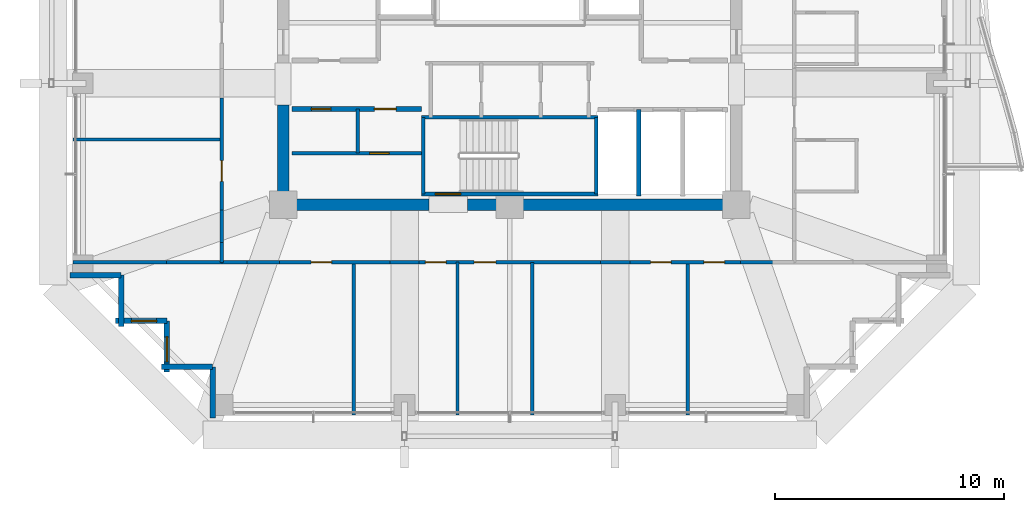
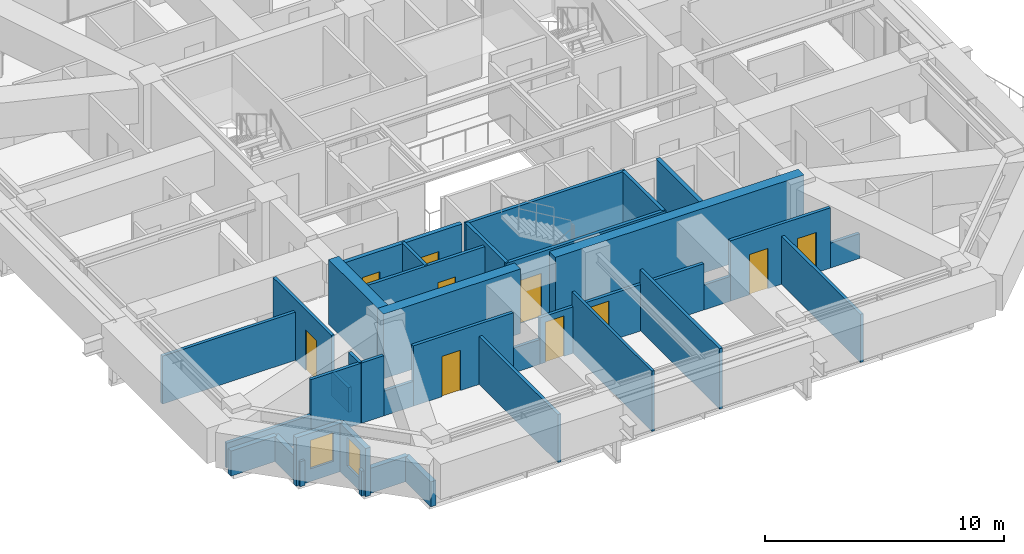
# One storey, part 34 of 40: 35 walls, 10 doors, 2 windows, 12 openings.
"""IFC4 building model written with IfcOpenShell, lengths in metres."""

from ifc_helpers import new_model, si_unit, direction, frame, frame_2d, origin, place, context, subcontext, project, spatial, rectangle, extrude, material, layer, layer_set, type_object, element, fill, save


model = new_model("IFC4")

# Units and contexts
model_context = context("Model", 3, precision=1e-05, world=origin(), true_north=direction((0.0, 1.0)))
body_context = subcontext(model_context, "Body", "Model", "MODEL_VIEW")
ifc_project = project(units=[si_unit("LENGTHUNIT", "METRE"), si_unit("AREAUNIT", "SQUARE_METRE"), si_unit("VOLUMEUNIT", "CUBIC_METRE"), si_unit("PLANEANGLEUNIT", "RADIAN"), si_unit("MASSUNIT", "GRAM", prefix="KILO")], contexts=[model_context])

# Site, building, storey
site_placement = place(None, origin())
site = spatial("IfcSite", under=ifc_project, at=site_placement, CompositionType="ELEMENT")
building_placement = place(site_placement, origin())
building = spatial("IfcBuilding", under=site, at=building_placement, Name="Kolvaren Belvedere", CompositionType="ELEMENT")
storey_placement = place(building_placement, frame((0.0, 0.0, 170.10009765625)))
storey = spatial("IfcBuildingStorey", under=building, at=storey_placement, Name="L49", CompositionType="ELEMENT", Elevation=170.10009765625)

# Walls
ifc_material_1 = material(Name="Concrete C50/60", Category="concrete")
ifc_layer_1 = layer(ifc_material_1, 0.5)
ifc_layer_set_1 = layer_set([ifc_layer_1], Name="Concrete C50/60")
wall_type_1 = type_object("IfcWallType", Name="CW-CORE-500", PredefinedType="SHEAR", material=ifc_layer_set_1)
wall_1_placement = place(storey_placement, frame((10.14990234375, -9.89990234375, 0.0), z_axis=(0.0, 0.0, 1.0), x_axis=(-1.0, 0.0, 0.0)))
element("IfcWall", 1, at=wall_1_placement, inside=storey, type_object=wall_type_1, Name="L49 South Core Shear Wall 1", PredefinedType="SHEAR", context=body_context, shape_type="SweptSolid", body=[
    extrude(rectangle(XDim=12.010009765625, YDim=0.5, at=frame_2d((6.0048828125, 0.0))), origin(), (0.0, 0.0, 1.0), 3.2998046875),
])
wall_2_placement = place(storey_placement, frame((-3.5400390625, -9.89990234375, 0.0), z_axis=(0.0, 0.0, 1.0), x_axis=(-1.0, 0.0, 0.0)))
element("IfcWall", 2, at=wall_2_placement, inside=storey, type_object=wall_type_1, Name="L49 South Core Shear Wall 2", PredefinedType="SHEAR", context=body_context, shape_type="SweptSolid", body=[
    extrude(rectangle(XDim=6.60986328125, YDim=0.5, at=frame_2d((3.304931640625, 0.0))), origin(), (0.0, 0.0, 1.0), 3.2998046875),
])
wall_3_placement = place(storey_placement, frame((-9.89990234375, -9.64990234375, 0.0), z_axis=(0.0, 0.0, 1.0), x_axis=(0.0, 1.0, 0.0)))
element("IfcWall", 3, at=wall_3_placement, inside=storey, type_object=wall_type_1, Name="L49 West Core Shear Wall 1", PredefinedType="SHEAR", context=body_context, shape_type="SweptSolid", body=[
    extrude(rectangle(XDim=4.099853515625, YDim=0.5, at=frame_2d((2.0498046875, 0.0))), origin(), (0.0, 0.0, 1.0), 3.2998046875),
])

# Wall, opening, door
ifc_material_2 = material(Name="Concrete C50/60", Category="concrete")
ifc_layer_2 = layer(ifc_material_2, 0.159912109375)
ifc_layer_set_2 = layer_set([ifc_layer_2], Name="Concrete C50/60")
wall_type_2 = type_object("IfcWallType", Name="CW-STAIR-160", PredefinedType="SHEAR", material=ifc_layer_set_2)
wall_4_placement = place(storey_placement, frame((3.860107421875, -9.429931640625, 0.0), z_axis=(0.0, 0.0, 1.0), x_axis=(-1.0, 0.0, 0.0)))
wall_4 = element("IfcWall", 4, at=wall_4_placement, inside=storey, type_object=wall_type_2, Name="L49 Stair ST-3 South Shear Wall", PredefinedType="SHEAR", context=body_context, shape_type="SweptSolid", body=[
    extrude(rectangle(XDim=7.72021484375, YDim=0.159912109375, at=frame_2d((3.860107421875, 0.0))), origin(), (0.0, 0.0, 1.0), 3.2998046875),
])
opening_1_placement = place(wall_4_placement, frame((6.010009765625, 0.0, 0.0)))
opening_1 = element("IfcOpeningElement", 5, at=opening_1_placement, cuts=wall_4, Name="Opening D-FD90", PredefinedType="OPENING", context=body_context, shape_type="SweptSolid", body=[
    extrude(rectangle(XDim=1.10009765625, YDim=2.199951171875, at=frame_2d((0.550048828125, 1.10009765625))), frame((0.0, 0.08984375, 0.0), z_axis=(0.0, -1.0, 0.0), x_axis=(1.0, 0.0, 0.0)), (0.0, 0.0, 1.0), 0.179931640625),
])
ifc_material_3 = material(Name="Painted hollow stainless steel", Category="steel")
door_type_1 = type_object("IfcDoorType", Name="DR-FD90-1100", OperationType="NOTDEFINED", PredefinedType="DOOR", material=ifc_material_3)
door_1_placement = place(opening_1_placement, origin())
door_1 = element("IfcDoor", 6, at=door_1_placement, inside=storey, type_object=door_type_1, Name="L49 Stair ST-3 Exit Door", OperationType="SINGLE_SWING_RIGHT", OverallHeight=2.199951171875, OverallWidth=1.10009765625, PredefinedType="DOOR", context=body_context, shape_type="SweptSolid", body=[
    extrude(rectangle(XDim=1.10009765625, YDim=2.199951171875, at=frame_2d((0.550048828125, 1.10009765625))), frame((0.0, 0.02490234375, 0.0), z_axis=(0.0, -1.0, 0.0), x_axis=(1.0, 0.0, 0.0)), (0.0, 0.0, 1.0), 0.050048828125),
])
fill(opening_1, door_1)

# Walls
wall_5_placement = place(storey_placement, frame((-3.860107421875, -6.080078125, 0.0), z_axis=(0.0, 0.0, 1.0), x_axis=(1.0, 0.0, 0.0)))
element("IfcWall", 7, at=wall_5_placement, inside=storey, type_object=wall_type_2, Name="L49 Stair ST-3 North Shear Wall", PredefinedType="SHEAR", context=body_context, shape_type="SweptSolid", body=[
    extrude(rectangle(XDim=7.72021484375, YDim=0.159912109375, at=frame_2d((3.860107421875, 0.0))), origin(), (0.0, 0.0, 1.0), 3.2998046875),
])
for number, where, z_axis, x_axis, name in (
    (8, (-3.780029296875, -9.429931640625, 0.0), (0.0, 0.0, 1.0), (0.0, 1.0, 0.0), "L49 Stair ST-3 West Shear Wall"),
    (9, (3.780029296875, -9.429931640625, 0.0), (0.0, 0.0, 1.0), (0.0, 1.0, 0.0), "L49 Stair ST-3 East Shear Wall"),
):
    element("IfcWall", number, at=place(storey_placement, frame(where, z_axis=z_axis, x_axis=x_axis)), inside=storey, type_object=wall_type_2, Name=name, PredefinedType="SHEAR", context=body_context, shape_type="SweptSolid", body=[
        extrude(rectangle(XDim=3.349853515625, YDim=0.159912109375, at=frame_2d((1.6748046875, 0.0))), origin(), (0.0, 0.0, 1.0), 3.2998046875),
    ])
ifc_material_4 = material(Name="Gypsum fire-rated partition assembly", Category="gypsum")
ifc_layer_3 = layer(ifc_material_4, 0.14990234375)
ifc_layer_set_3 = layer_set([ifc_layer_3], Name="Gypsum fire-rated partition assembly")
wall_type_3 = type_object("IfcWallType", Name="WL-CORR-150", PredefinedType="PARTITIONING", material=ifc_layer_set_3)
wall_6_placement = place(storey_placement, frame((-12.580078125, -12.419921875, 0.0), z_axis=(0.0, 0.0, 1.0), x_axis=(1.0, 0.0, 0.0)))
element("IfcWall", 10, at=wall_6_placement, inside=storey, type_object=wall_type_3, Name="L49 South Corridor Wall", PredefinedType="PARTITIONING", context=body_context, shape_type="SweptSolid", body=[
    extrude(rectangle(XDim=1.093994140625, YDim=0.14990234375, at=frame_2d((0.546875, 0.0))), origin(), (0.0, 0.0, 1.0), 3.079833984375),
])
wall_7_placement = place(storey_placement, frame((-11.486083984375, -12.419921875, 0.0), z_axis=(0.0, 0.0, 1.0), x_axis=(1.0, 0.0, 0.0)))
element("IfcWall", 11, at=wall_7_placement, inside=storey, type_object=wall_type_3, Name="L49 South Corridor Wall", PredefinedType="PARTITIONING", context=body_context, shape_type="SweptSolid", body=[
    extrude(rectangle(XDim=1.416748046875, YDim=0.14990234375, at=frame_2d((0.70849609375, 0.0))), origin(), (0.0, 0.0, 1.0), 1.264892578125),
])

# Wall, opening, door
wall_8_placement = place(storey_placement, frame((-10.0693359375, -12.419921875, 0.0), z_axis=(0.0, 0.0, 1.0), x_axis=(1.0, 0.0, 0.0)))
wall_8 = element("IfcWall", 12, at=wall_8_placement, inside=storey, type_object=wall_type_3, Name="L49 South Corridor Wall", PredefinedType="PARTITIONING", context=body_context, shape_type="SweptSolid", body=[
    extrude(rectangle(XDim=4.827392578125, YDim=0.14990234375, at=frame_2d((2.41357421875, 0.0))), origin(), (0.0, 0.0, 1.0), 3.079833984375),
])
opening_2_placement = place(wall_8_placement, frame((1.38916015625, 0.0, 0.0)))
opening_2 = element("IfcOpeningElement", 13, at=opening_2_placement, cuts=wall_8, Name="Opening D-INT90", PredefinedType="OPENING", context=body_context, shape_type="SweptSolid", body=[
    extrude(rectangle(XDim=0.89990234375, YDim=2.06005859375, at=frame_2d((0.449951171875, 1.030029296875))), frame((0.0, 0.0849609375, 0.0), z_axis=(0.0, -1.0, 0.0), x_axis=(1.0, 0.0, 0.0)), (0.0, 0.0, 1.0), 0.169921875),
])
ifc_material_5 = material(Name="Stained Pacific white oak", Category="timber")
door_type_2 = type_object("IfcDoorType", Name="DR-INT-900", OperationType="NOTDEFINED", PredefinedType="DOOR", material=ifc_material_5)
door_2_placement = place(opening_2_placement, origin())
door_2 = element("IfcDoor", 14, at=door_2_placement, inside=storey, type_object=door_type_2, Name="L49 Wellness Yoga & Reading Gym 4901 Door", OperationType="SINGLE_SWING_LEFT", OverallHeight=2.06005859375, OverallWidth=0.89990234375, PredefinedType="DOOR", context=body_context, shape_type="SweptSolid", body=[
    extrude(rectangle(XDim=0.89990234375, YDim=2.06005859375, at=frame_2d((0.449951171875, 1.030029296875))), frame((0.0, 0.02490234375, 0.0), z_axis=(0.0, -1.0, 0.0), x_axis=(1.0, 0.0, 0.0)), (0.0, 0.0, 1.0), 0.050048828125),
])
fill(opening_2, door_2)

# Wall
wall_9_placement = place(storey_placement, frame((-5.241943359375, -12.419921875, 0.0), z_axis=(0.0, 0.0, 1.0), x_axis=(1.0, 0.0, 0.0)))
element("IfcWall", 15, at=wall_9_placement, inside=storey, type_object=wall_type_3, Name="L49 South Corridor Wall", PredefinedType="PARTITIONING", context=body_context, shape_type="SweptSolid", body=[
    extrude(rectangle(XDim=1.283935546875, YDim=0.14990234375, at=frame_2d((0.64208984375, 0.0))), origin(), (0.0, 0.0, 1.0), 1.264892578125),
])

# Wall, openings, doors
wall_10_placement = place(storey_placement, frame((-3.9580078125, -12.419921875, 0.0), z_axis=(0.0, 0.0, 1.0), x_axis=(1.0, 0.0, 0.0)))
wall_10 = element("IfcWall", 16, at=wall_10_placement, inside=storey, type_object=wall_type_3, Name="L49 South Corridor Wall", PredefinedType="PARTITIONING", context=body_context, shape_type="SweptSolid", body=[
    extrude(rectangle(XDim=7.916015625, YDim=0.14990234375, at=frame_2d((3.9580078125, 0.0))), origin(), (0.0, 0.0, 1.0), 2.368896484375),
])
opening_3_placement = place(wall_10_placement, frame((0.27099609375, 0.0, 0.0)))
opening_3 = element("IfcOpeningElement", 17, at=opening_3_placement, cuts=wall_10, Name="Opening D-INT90", PredefinedType="OPENING", context=body_context, shape_type="SweptSolid", body=[
    extrude(rectangle(XDim=0.89990234375, YDim=2.06005859375, at=frame_2d((0.449951171875, 1.030029296875))), frame((0.0, 0.0849609375, 0.0), z_axis=(0.0, -1.0, 0.0), x_axis=(1.0, 0.0, 0.0)), (0.0, 0.0, 1.0), 0.169921875),
])
opening_4_placement = place(wall_10_placement, frame((2.39599609375, 0.0, 0.0)))
opening_4 = element("IfcOpeningElement", 18, at=opening_4_placement, cuts=wall_10, Name="Opening D-INT95", PredefinedType="OPENING", context=body_context, shape_type="SweptSolid", body=[
    extrude(rectangle(XDim=0.949951171875, YDim=2.06005859375, at=frame_2d((0.47509765625, 1.030029296875))), frame((0.0, 0.0849609375, 0.0), z_axis=(0.0, -1.0, 0.0), x_axis=(1.0, 0.0, 0.0)), (0.0, 0.0, 1.0), 0.169921875),
])
door_3_placement = place(opening_3_placement, origin())
door_3 = element("IfcDoor", 19, at=door_3_placement, inside=storey, type_object=door_type_2, Name="L49 Housekeeping Door", OperationType="SINGLE_SWING_RIGHT", OverallHeight=2.06005859375, OverallWidth=0.89990234375, PredefinedType="DOOR", context=body_context, shape_type="SweptSolid", body=[
    extrude(rectangle(XDim=0.89990234375, YDim=2.06005859375, at=frame_2d((0.449951171875, 1.030029296875))), frame((0.0, 0.02490234375, 0.0), z_axis=(0.0, -1.0, 0.0), x_axis=(1.0, 0.0, 0.0)), (0.0, 0.0, 1.0), 0.050048828125),
])
fill(opening_3, door_3)
ifc_material_6 = material(Name="Stained Pacific white oak", Category="timber")
door_type_3 = type_object("IfcDoorType", Name="DR-INT-950", OperationType="NOTDEFINED", PredefinedType="DOOR", material=ifc_material_6)
door_4_placement = place(opening_4_placement, origin())
door_4 = element("IfcDoor", 20, at=door_4_placement, inside=storey, type_object=door_type_3, Name="L49 Accessible Washroom Door", OperationType="SINGLE_SWING_LEFT", OverallHeight=2.06005859375, OverallWidth=0.949951171875, PredefinedType="DOOR", context=body_context, shape_type="SweptSolid", body=[
    extrude(rectangle(XDim=0.949951171875, YDim=2.06005859375, at=frame_2d((0.47509765625, 1.030029296875))), frame((0.0, 0.02490234375, 0.0), z_axis=(0.0, -1.0, 0.0), x_axis=(1.0, 0.0, 0.0)), (0.0, 0.0, 1.0), 0.050048828125),
])
fill(opening_4, door_4)

# Wall
wall_11_placement = place(storey_placement, frame((3.9580078125, -12.419921875, 0.0), z_axis=(0.0, 0.0, 1.0), x_axis=(1.0, 0.0, 0.0)))
element("IfcWall", 21, at=wall_11_placement, inside=storey, type_object=wall_type_3, Name="L49 South Corridor Wall", PredefinedType="PARTITIONING", context=body_context, shape_type="SweptSolid", body=[
    extrude(rectangle(XDim=1.283935546875, YDim=0.14990234375, at=frame_2d((0.64208984375, 0.0))), origin(), (0.0, 0.0, 1.0), 1.264892578125),
])

# Wall, openings, doors
wall_12_placement = place(storey_placement, frame((5.241943359375, -12.419921875, 0.0), z_axis=(0.0, 0.0, 1.0), x_axis=(1.0, 0.0, 0.0)))
wall_12 = element("IfcWall", 22, at=wall_12_placement, inside=storey, type_object=wall_type_3, Name="L49 South Corridor Wall", PredefinedType="PARTITIONING", context=body_context, shape_type="SweptSolid", body=[
    extrude(rectangle(XDim=4.827392578125, YDim=0.14990234375, at=frame_2d((2.41357421875, 0.0))), origin(), (0.0, 0.0, 1.0), 3.079833984375),
])
opening_5_placement = place(wall_12_placement, frame((0.904541015625, 0.0, 0.0)))
opening_5 = element("IfcOpeningElement", 23, at=opening_5_placement, cuts=wall_12, Name="Opening D-INT90", PredefinedType="OPENING", context=body_context, shape_type="SweptSolid", body=[
    extrude(rectangle(XDim=0.89990234375, YDim=2.06005859375, at=frame_2d((0.449951171875, 1.030029296875))), frame((0.0, 0.0849609375, 0.0), z_axis=(0.0, -1.0, 0.0), x_axis=(1.0, 0.0, 0.0)), (0.0, 0.0, 1.0), 0.169921875),
])
opening_6_placement = place(wall_12_placement, frame((3.239501953125, 0.0, 0.0)))
opening_6 = element("IfcOpeningElement", 24, at=opening_6_placement, cuts=wall_12, Name="Opening D-INT90", PredefinedType="OPENING", context=body_context, shape_type="SweptSolid", body=[
    extrude(rectangle(XDim=0.89990234375, YDim=2.06005859375, at=frame_2d((0.449951171875, 1.030029296875))), frame((0.0, 0.0849609375, 0.0), z_axis=(0.0, -1.0, 0.0), x_axis=(1.0, 0.0, 0.0)), (0.0, 0.0, 1.0), 0.169921875),
])
door_5_placement = place(opening_5_placement, origin())
door_5 = element("IfcDoor", 25, at=door_5_placement, inside=storey, type_object=door_type_2, Name="L49 Guest Tea & Espresso Kitchen 4902 Door", OperationType="SINGLE_SWING_RIGHT", OverallHeight=2.06005859375, OverallWidth=0.89990234375, PredefinedType="DOOR", context=body_context, shape_type="SweptSolid", body=[
    extrude(rectangle(XDim=0.89990234375, YDim=2.06005859375, at=frame_2d((0.449951171875, 1.030029296875))), frame((0.0, 0.02490234375, 0.0), z_axis=(0.0, -1.0, 0.0), x_axis=(1.0, 0.0, 0.0)), (0.0, 0.0, 1.0), 0.050048828125),
])
fill(opening_5, door_5)
door_6_placement = place(opening_6_placement, origin())
door_6 = element("IfcDoor", 26, at=door_6_placement, inside=storey, type_object=door_type_2, Name="L49 Private Hospitality Meeting Room 4903 Door", OperationType="SINGLE_SWING_LEFT", OverallHeight=2.06005859375, OverallWidth=0.89990234375, PredefinedType="DOOR", context=body_context, shape_type="SweptSolid", body=[
    extrude(rectangle(XDim=0.89990234375, YDim=2.06005859375, at=frame_2d((0.449951171875, 1.030029296875))), frame((0.0, 0.02490234375, 0.0), z_axis=(0.0, -1.0, 0.0), x_axis=(1.0, 0.0, 0.0)), (0.0, 0.0, 1.0), 0.050048828125),
])
fill(opening_6, door_6)

# Walls
wall_13_placement = place(storey_placement, frame((10.0693359375, -12.419921875, 0.0), z_axis=(0.0, 0.0, 1.0), x_axis=(1.0, 0.0, 0.0)))
element("IfcWall", 27, at=wall_13_placement, inside=storey, type_object=wall_type_3, Name="L49 South Corridor Wall", PredefinedType="PARTITIONING", context=body_context, shape_type="SweptSolid", body=[
    extrude(rectangle(XDim=1.416748046875, YDim=0.14990234375, at=frame_2d((0.70849609375, 0.0))), origin(), (0.0, 0.0, 1.0), 1.264892578125),
])
wall_14_placement = place(storey_placement, frame((-12.580078125, -12.419921875, 0.0), z_axis=(0.0, 0.0, 1.0), x_axis=(0.0, 1.0, 0.0)))
element("IfcWall", 28, at=wall_14_placement, inside=storey, type_object=wall_type_3, Name="L49 West Corridor Wall", PredefinedType="PARTITIONING", context=body_context, shape_type="SweptSolid", body=[
    extrude(rectangle(XDim=0.878173828125, YDim=0.14990234375, at=frame_2d((0.43896484375, 0.0))), origin(), (0.0, 0.0, 1.0), 3.079833984375),
])
wall_15_placement = place(storey_placement, frame((-12.580078125, -11.541748046875, 0.0), z_axis=(0.0, 0.0, 1.0), x_axis=(0.0, 1.0, 0.0)))
element("IfcWall", 29, at=wall_15_placement, inside=storey, type_object=wall_type_3, Name="L49 West Corridor Wall", PredefinedType="PARTITIONING", context=body_context, shape_type="SweptSolid", body=[
    extrude(rectangle(XDim=1.416748046875, YDim=0.14990234375, at=frame_2d((0.70849609375, 0.0))), origin(), (0.0, 0.0, 1.0), 1.264892578125),
])

# Wall, opening, door
wall_16_placement = place(storey_placement, frame((-12.580078125, -10.125, 0.0), z_axis=(0.0, 0.0, 1.0), x_axis=(0.0, 1.0, 0.0)))
wall_16 = element("IfcWall", 30, at=wall_16_placement, inside=storey, type_object=wall_type_3, Name="L49 West Corridor Wall", PredefinedType="PARTITIONING", context=body_context, shape_type="SweptSolid", body=[
    extrude(rectangle(XDim=4.883056640625, YDim=0.14990234375, at=frame_2d((2.44140625, 0.0))), origin(), (0.0, 0.0, 1.0), 3.079833984375),
])
opening_7_placement = place(wall_16_placement, frame((1.246826171875, 0.0, 0.0)))
opening_7 = element("IfcOpeningElement", 31, at=opening_7_placement, cuts=wall_16, Name="Opening D-INT90", PredefinedType="OPENING", context=body_context, shape_type="SweptSolid", body=[
    extrude(rectangle(XDim=0.89990234375, YDim=2.06005859375, at=frame_2d((0.449951171875, 1.030029296875))), frame((0.0, 0.0849609375, 0.0), z_axis=(0.0, -1.0, 0.0), x_axis=(1.0, 0.0, 0.0)), (0.0, 0.0, 1.0), 0.169921875),
])
door_7_placement = place(opening_7_placement, origin())
door_7 = element("IfcDoor", 32, at=door_7_placement, inside=storey, type_object=door_type_2, Name="L49 Lounge 4907 Door", OperationType="SINGLE_SWING_RIGHT", OverallHeight=2.06005859375, OverallWidth=0.89990234375, PredefinedType="DOOR", context=body_context, shape_type="SweptSolid", body=[
    extrude(rectangle(XDim=0.89990234375, YDim=2.06005859375, at=frame_2d((0.449951171875, 1.030029296875))), frame((0.0, 0.02490234375, 0.0), z_axis=(0.0, -1.0, 0.0), x_axis=(1.0, 0.0, 0.0)), (0.0, 0.0, 1.0), 0.050048828125),
])
fill(opening_7, door_7)

# Walls
ifc_material_7 = material(Name="Insulated pale-metal facade wall assembly", Category="aluminium")
ifc_layer_4 = layer(ifc_material_7, 0.239990234375)
ifc_layer_set_4 = layer_set([ifc_layer_4], Name="Insulated pale-metal facade wall assembly")
wall_type_4 = type_object("IfcWallType", Name="WL-EXT-240", PredefinedType="STANDARD", material=ifc_layer_set_4)
for number, where, z_axis, x_axis, name in (
    (33, (-16.97998046875, -12.97998046875, 0.0), (0.0, 0.0, 1.0), (-1.0, 0.0, 0.0), "L49 Serrated Corner Facade Wall 23"),
    (34, (-16.97998046875, -15.219970703125, 0.0), (0.0, 0.0, 1.0), (0.0, 1.0, 0.0), "L49 Serrated Corner Facade Wall 24"),
):
    element("IfcWall", number, at=place(storey_placement, frame(where, z_axis=z_axis, x_axis=x_axis)), inside=storey, type_object=wall_type_4, Name=name, PredefinedType="STANDARD", context=body_context, shape_type="SweptSolid", body=[
        extrude(rectangle(XDim=2.239990234375, YDim=0.239990234375, at=frame_2d((1.1201171875, 0.0))), origin(), (0.0, 0.0, 1.0), 1.27490234375),
    ])

# Wall, opening, window
wall_17_placement = place(storey_placement, frame((-14.97998046875, -14.97998046875, 0.0), z_axis=(0.0, 0.0, 1.0), x_axis=(-1.0, 0.0, 0.0)))
wall_17 = element("IfcWall", 35, at=wall_17_placement, inside=storey, type_object=wall_type_4, Name="L49 Serrated Corner Facade Wall 25", PredefinedType="STANDARD", context=body_context, shape_type="SweptSolid", body=[
    extrude(rectangle(XDim=2.239990234375, YDim=0.239990234375, at=frame_2d((1.1201171875, 0.0))), origin(), (0.0, 0.0, 1.0), 2.462890625),
])
opening_8_placement = place(wall_17_placement, frame((0.449951171875, 0.0, 0.64990234375)))
opening_8 = element("IfcOpeningElement", 36, at=opening_8_placement, cuts=wall_17, Name="Opening W-1100", PredefinedType="OPENING", context=body_context, shape_type="SweptSolid", body=[
    extrude(rectangle(XDim=1.10009765625, YDim=1.449951171875, at=frame_2d((0.550048828125, 0.72509765625))), frame((0.0, 0.1298828125, 0.0), z_axis=(0.0, -1.0, 0.0), x_axis=(1.0, 0.0, 0.0)), (0.0, 0.0, 1.0), 0.260009765625),
])
ifc_material_8 = material(Name="Low-iron triple insulated glass", Category="glass")
window_type = type_object("IfcWindowType", Name="WN-CORN-1100", PartitioningType="SINGLE_PANEL", PredefinedType="WINDOW", material=ifc_material_8)
window_1_placement = place(opening_8_placement, origin())
window_1 = element("IfcWindow", 37, at=window_1_placement, inside=storey, type_object=window_type, Name="L49 Serrated Corner Vision Window 25", OverallHeight=1.449951171875, OverallWidth=1.10009765625, PartitioningType="SINGLE_PANEL", PredefinedType="WINDOW", context=body_context, shape_type="SweptSolid", body=[
    extrude(rectangle(XDim=1.10009765625, YDim=1.449951171875, at=frame_2d((0.550048828125, 0.72509765625))), frame((0.0, 0.030029296875, 0.0), z_axis=(0.0, -1.0, 0.0), x_axis=(1.0, 0.0, 0.0)), (0.0, 0.0, 1.0), 0.06005859375),
])
fill(opening_8, window_1)

wall_18_placement = place(storey_placement, frame((-14.97998046875, -17.219970703125, 0.0), z_axis=(0.0, 0.0, 1.0), x_axis=(0.0, 1.0, 0.0)))
wall_18 = element("IfcWall", 38, at=wall_18_placement, inside=storey, type_object=wall_type_4, Name="L49 Serrated Corner Facade Wall 26", PredefinedType="STANDARD", context=body_context, shape_type="SweptSolid", body=[
    extrude(rectangle(XDim=2.239990234375, YDim=0.239990234375, at=frame_2d((1.1201171875, 0.0))), origin(), (0.0, 0.0, 1.0), 2.462890625),
])
opening_9_placement = place(wall_18_placement, frame((0.449951171875, 0.0, 0.64990234375)))
opening_9 = element("IfcOpeningElement", 39, at=opening_9_placement, cuts=wall_18, Name="Opening W-1100", PredefinedType="OPENING", context=body_context, shape_type="SweptSolid", body=[
    extrude(rectangle(XDim=1.10009765625, YDim=1.449951171875, at=frame_2d((0.550048828125, 0.72509765625))), frame((0.0, 0.1298828125, 0.0), z_axis=(0.0, -1.0, 0.0), x_axis=(1.0, 0.0, 0.0)), (0.0, 0.0, 1.0), 0.260009765625),
])
window_2_placement = place(opening_9_placement, origin())
window_2 = element("IfcWindow", 40, at=window_2_placement, inside=storey, type_object=window_type, Name="L49 Serrated Corner Vision Window 26", OverallHeight=1.449951171875, OverallWidth=1.10009765625, PartitioningType="SINGLE_PANEL", PredefinedType="WINDOW", context=body_context, shape_type="SweptSolid", body=[
    extrude(rectangle(XDim=1.10009765625, YDim=1.449951171875, at=frame_2d((0.550048828125, 0.72509765625))), frame((0.0, 0.030029296875, 0.0), z_axis=(0.0, -1.0, 0.0), x_axis=(1.0, 0.0, 0.0)), (0.0, 0.0, 1.0), 0.06005859375),
])
fill(opening_9, window_2)

# Walls
for number, where, z_axis, x_axis, name in (
    (41, (-12.97998046875, -16.97998046875, 0.0), (0.0, 0.0, 1.0), (-1.0, 0.0, 0.0), "L49 Serrated Corner Facade Wall 27"),
    (42, (-12.97998046875, -19.219970703125, 0.0), (0.0, 0.0, 1.0), (0.0, 1.0, 0.0), "L49 Serrated Corner Facade Wall 28"),
):
    element("IfcWall", number, at=place(storey_placement, frame(where, z_axis=z_axis, x_axis=x_axis)), inside=storey, type_object=wall_type_4, Name=name, PredefinedType="STANDARD", context=body_context, shape_type="SweptSolid", body=[
        extrude(rectangle(XDim=2.239990234375, YDim=0.239990234375, at=frame_2d((1.1201171875, 0.0))), origin(), (0.0, 0.0, 1.0), 1.27490234375),
    ])

# Wall, opening, door
ifc_material_9 = material(Name="Gypsum acoustic partition assembly", Category="gypsum")
ifc_layer_5 = layer(ifc_material_9, 0.14990234375)
ifc_layer_set_5 = layer_set([ifc_layer_5], Name="Gypsum acoustic partition assembly")
wall_type_5 = type_object("IfcWallType", Name="WL-PART-150", PredefinedType="PARTITIONING", material=ifc_layer_set_5)
wall_19_placement = place(storey_placement, frame((-9.52001953125, -7.64990234375, 0.0), z_axis=(0.0, 0.0, 1.0), x_axis=(1.0, 0.0, 0.0)))
wall_19 = element("IfcWall", 43, at=wall_19_placement, inside=storey, type_object=wall_type_5, Name="L49 Reclaimed Mid H-Divider", PredefinedType="PARTITIONING", context=body_context, shape_type="SweptSolid", body=[
    extrude(rectangle(XDim=5.659912109375, YDim=0.14990234375, at=frame_2d((2.830078125, 0.0))), origin(), (0.0, 0.0, 1.0), 3.079833984375),
])
opening_10_placement = place(wall_19_placement, frame((3.39990234375, 0.0, 0.0)))
opening_10 = element("IfcOpeningElement", 44, at=opening_10_placement, cuts=wall_19, Name="Opening D-INT85", PredefinedType="OPENING", context=body_context, shape_type="SweptSolid", body=[
    extrude(rectangle(XDim=0.85009765625, YDim=2.030029296875, at=frame_2d((0.425048828125, 1.01513671875))), frame((0.0, 0.0849609375, 0.0), z_axis=(0.0, -1.0, 0.0), x_axis=(1.0, 0.0, 0.0)), (0.0, 0.0, 1.0), 0.169921875),
])
ifc_material_10 = material(Name="Stained Pacific white oak", Category="timber")
door_type_4 = type_object("IfcDoorType", Name="DR-INT-850", OperationType="NOTDEFINED", PredefinedType="DOOR", material=ifc_material_10)
door_8_placement = place(opening_10_placement, origin())
door_8 = element("IfcDoor", 45, at=door_8_placement, inside=storey, type_object=door_type_4, Name="L49 Tea Pantry Door", OperationType="SINGLE_SWING_LEFT", OverallHeight=2.030029296875, OverallWidth=0.85009765625, PredefinedType="DOOR", context=body_context, shape_type="SweptSolid", body=[
    extrude(rectangle(XDim=0.85009765625, YDim=2.030029296875, at=frame_2d((0.425048828125, 1.01513671875))), frame((0.0, 0.02490234375, 0.0), z_axis=(0.0, -1.0, 0.0), x_axis=(1.0, 0.0, 0.0)), (0.0, 0.0, 1.0), 0.050048828125),
])
fill(opening_10, door_8)

# Walls
wall_20_placement = place(storey_placement, frame((-6.64990234375, -7.64990234375, 0.0), z_axis=(0.0, 0.0, 1.0), x_axis=(0.0, 1.0, 0.0)))
element("IfcWall", 46, at=wall_20_placement, inside=storey, type_object=wall_type_5, Name="L49 Reclaimed Mid V-Divider", PredefinedType="PARTITIONING", context=body_context, shape_type="SweptSolid", body=[
    extrude(rectangle(XDim=1.929931640625, YDim=0.14990234375, at=frame_2d((0.96484375, 0.0))), origin(), (0.0, 0.0, 1.0), 3.079833984375),
])
wall_21_placement = place(storey_placement, frame((-19.080078125, -12.419921875, 0.0), z_axis=(0.0, 0.0, 1.0), x_axis=(1.0, 0.0, 0.0)))
element("IfcWall", 47, at=wall_21_placement, inside=storey, type_object=wall_type_5, Name="L49 Wing Divider PW-L49-QSW", PredefinedType="PARTITIONING", context=body_context, shape_type="SweptSolid", body=[
    extrude(rectangle(XDim=4.084716796875, YDim=0.14990234375, at=frame_2d((2.04248046875, 0.0))), origin(), (0.0, 0.0, 1.0), 1.264892578125),
])
wall_22_placement = place(storey_placement, frame((-14.995361328125, -12.419921875, 0.0), z_axis=(0.0, 0.0, 1.0), x_axis=(1.0, 0.0, 0.0)))
element("IfcWall", 48, at=wall_22_placement, inside=storey, type_object=wall_type_5, Name="L49 Wing Divider PW-L49-QSW", PredefinedType="PARTITIONING", context=body_context, shape_type="SweptSolid", body=[
    extrude(rectangle(XDim=2.415283203125, YDim=0.14990234375, at=frame_2d((1.20751953125, 0.0))), origin(), (0.0, 0.0, 1.0), 3.079833984375),
])
wall_23_placement = place(storey_placement, frame((-6.820068359375, -19.080078125, 0.0), z_axis=(0.0, 0.0, 1.0), x_axis=(0.0, 1.0, 0.0)))
element("IfcWall", 49, at=wall_23_placement, inside=storey, type_object=wall_type_5, Name="L49 South Suite Demising Wall 1", PredefinedType="PARTITIONING", context=body_context, shape_type="SweptSolid", body=[
    extrude(rectangle(XDim=6.66015625, YDim=0.14990234375, at=frame_2d((3.330078125, 0.0))), origin(), (0.0, 0.0, 1.0), 2.452880859375),
])
wall_24_placement = place(storey_placement, frame((0.97998046875, -19.080078125, 0.0), z_axis=(0.0, 0.0, 1.0), x_axis=(0.0, 1.0, 0.0)))
element("IfcWall", 50, at=wall_24_placement, inside=storey, type_object=wall_type_5, Name="L49 South Suite Demising Wall 2", PredefinedType="PARTITIONING", context=body_context, shape_type="SweptSolid", body=[
    extrude(rectangle(XDim=6.66015625, YDim=0.14990234375, at=frame_2d((3.330078125, 0.0))), origin(), (0.0, 0.0, 1.0), 3.079833984375),
])
wall_25_placement = place(storey_placement, frame((7.780029296875, -19.080078125, 0.0), z_axis=(0.0, 0.0, 1.0), x_axis=(0.0, 1.0, 0.0)))
element("IfcWall", 51, at=wall_25_placement, inside=storey, type_object=wall_type_5, Name="L49 South Suite Demising Wall 3", PredefinedType="PARTITIONING", context=body_context, shape_type="SweptSolid", body=[
    extrude(rectangle(XDim=6.66015625, YDim=0.14990234375, at=frame_2d((3.330078125, 0.0))), origin(), (0.0, 0.0, 1.0), 2.452880859375),
])
wall_26_placement = place(storey_placement, frame((-19.080078125, -7.052001953125, 0.0), z_axis=(0.0, 0.0, 1.0), x_axis=(1.0, 0.0, 0.0)))
element("IfcWall", 52, at=wall_26_placement, inside=storey, type_object=wall_type_5, Name="L49 West Suite Demising Wall 1", PredefinedType="PARTITIONING", context=body_context, shape_type="SweptSolid", body=[
    extrude(rectangle(XDim=6.5, YDim=0.14990234375, at=frame_2d((3.25, 0.0))), origin(), (0.0, 0.0, 1.0), 2.452880859375),
])

# Wall, openings, doors
ifc_material_11 = material(Name="Concrete C50/60", Category="concrete")
ifc_layer_6 = layer(ifc_material_11, 0.199951171875)
ifc_layer_set_6 = layer_set([ifc_layer_6], Name="Concrete C50/60")
wall_type_6 = type_object("IfcWallType", Name="WL-SHAFT-200", PredefinedType="SOLIDWALL", material=ifc_layer_set_6)
wall_27_placement = place(storey_placement, frame((-9.52001953125, -5.719970703125, 0.0), z_axis=(0.0, 0.0, 1.0), x_axis=(1.0, 0.0, 0.0)))
wall_27 = element("IfcWall", 53, at=wall_27_placement, inside=storey, type_object=wall_type_6, Name="L49 Reclaimed Mid Room North Wall", PredefinedType="SOLIDWALL", context=body_context, shape_type="SweptSolid", body=[
    extrude(rectangle(XDim=5.659912109375, YDim=0.199951171875, at=frame_2d((2.830078125, 0.0))), origin(), (0.0, 0.0, 1.0), 3.079833984375),
])
opening_11_placement = place(wall_27_placement, frame((3.60009765625, 0.0, 0.0)))
opening_11 = element("IfcOpeningElement", 54, at=opening_11_placement, cuts=wall_27, Name="Opening D-FD60", PredefinedType="OPENING", context=body_context, shape_type="SweptSolid", body=[
    extrude(rectangle(XDim=0.949951171875, YDim=2.06005859375, at=frame_2d((0.47509765625, 1.030029296875))), frame((0.0, 0.10986328125, 0.0), z_axis=(0.0, -1.0, 0.0), x_axis=(1.0, 0.0, 0.0)), (0.0, 0.0, 1.0), 0.219970703125),
])
opening_12_placement = place(wall_27_placement, frame((0.85009765625, 0.0, 0.0)))
opening_12 = element("IfcOpeningElement", 55, at=opening_12_placement, cuts=wall_27, Name="Opening D-INT85", PredefinedType="OPENING", context=body_context, shape_type="SweptSolid", body=[
    extrude(rectangle(XDim=0.85009765625, YDim=2.030029296875, at=frame_2d((0.425048828125, 1.01513671875))), frame((0.0, 0.10986328125, 0.0), z_axis=(0.0, -1.0, 0.0), x_axis=(1.0, 0.0, 0.0)), (0.0, 0.0, 1.0), 0.219970703125),
])
ifc_material_12 = material(Name="Acoustic white-oak fire door leaf", Category="timber")
door_type_5 = type_object("IfcDoorType", Name="DR-FD60-950", OperationType="NOTDEFINED", PredefinedType="DOOR", material=ifc_material_12)
door_9_placement = place(opening_11_placement, origin())
door_9 = element("IfcDoor", 56, at=door_9_placement, inside=storey, type_object=door_type_5, Name="L49 Wellness Salon Door", OperationType="SINGLE_SWING_LEFT", OverallHeight=2.06005859375, OverallWidth=0.949951171875, PredefinedType="DOOR", context=body_context, shape_type="SweptSolid", body=[
    extrude(rectangle(XDim=0.949951171875, YDim=2.06005859375, at=frame_2d((0.47509765625, 1.030029296875))), frame((0.0, 0.02490234375, 0.0), z_axis=(0.0, -1.0, 0.0), x_axis=(1.0, 0.0, 0.0)), (0.0, 0.0, 1.0), 0.050048828125),
])
fill(opening_11, door_9)
door_10_placement = place(opening_12_placement, origin())
door_10 = element("IfcDoor", 57, at=door_10_placement, inside=storey, type_object=door_type_4, Name="L49 Linen Closet Door", OperationType="SINGLE_SWING_RIGHT", OverallHeight=2.030029296875, OverallWidth=0.85009765625, PredefinedType="DOOR", context=body_context, shape_type="SweptSolid", body=[
    extrude(rectangle(XDim=0.85009765625, YDim=2.030029296875, at=frame_2d((0.425048828125, 1.01513671875))), frame((0.0, 0.02490234375, 0.0), z_axis=(0.0, -1.0, 0.0), x_axis=(1.0, 0.0, 0.0)), (0.0, 0.0, 1.0), 0.050048828125),
])
fill(opening_12, door_10)

# Walls
wall_28_placement = place(storey_placement, frame((5.6298828125, -9.52001953125, 0.0), z_axis=(0.0, 0.0, 1.0), x_axis=(0.0, 1.0, 0.0)))
element("IfcWall", 58, at=wall_28_placement, inside=storey, type_object=wall_type_6, Name="L49 High-Rise Hoistway Divider 1", PredefinedType="SOLIDWALL", context=body_context, shape_type="SweptSolid", body=[
    extrude(rectangle(XDim=3.77001953125, YDim=0.199951171875, at=frame_2d((1.885009765625, 0.0))), origin(), (0.0, 0.0, 1.0), 3.079833984375),
])
ifc_material_13 = material(Name="Moisture-resistant gypsum partition", Category="gypsum")
ifc_layer_7 = layer(ifc_material_13, 0.125)
ifc_layer_set_7 = layer_set([ifc_layer_7], Name="Moisture-resistant gypsum partition")
wall_type_7 = type_object("IfcWallType", Name="WL-WET-125", PredefinedType="PARTITIONING", material=ifc_layer_set_7)
wall_29_placement = place(storey_placement, frame((-2.2939453125, -19.080078125, 0.0), z_axis=(0.0, 0.0, 1.0), x_axis=(0.0, 1.0, 0.0)))
element("IfcWall", 59, at=wall_29_placement, inside=storey, type_object=wall_type_7, Name="L49 Housekeeping Washroom Divider", PredefinedType="PARTITIONING", context=body_context, shape_type="SweptSolid", body=[
    extrude(rectangle(XDim=6.68505859375, YDim=0.125, at=frame_2d((3.342529296875, 0.0))), origin(), (0.0, 0.0, 1.0), 3.079833984375),
])

save(model, "model.ifc")
